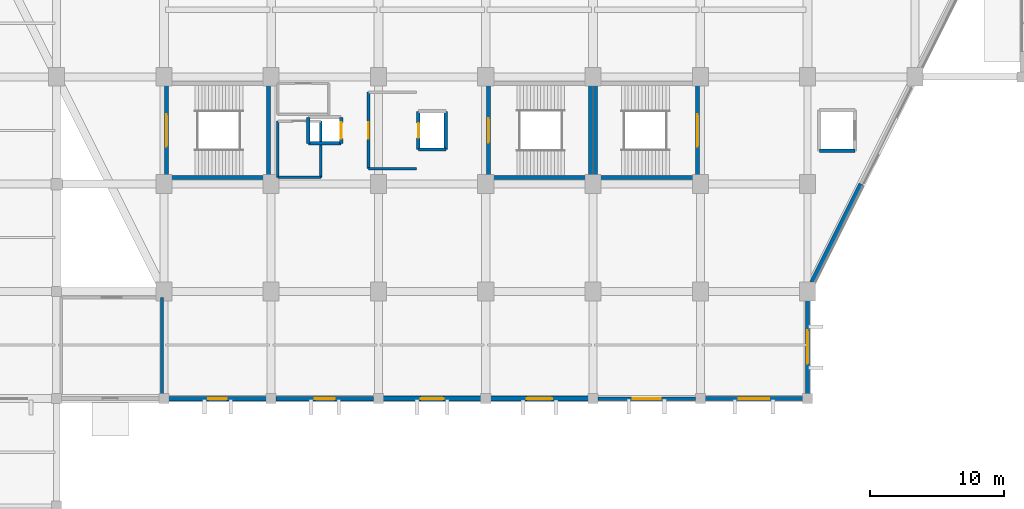
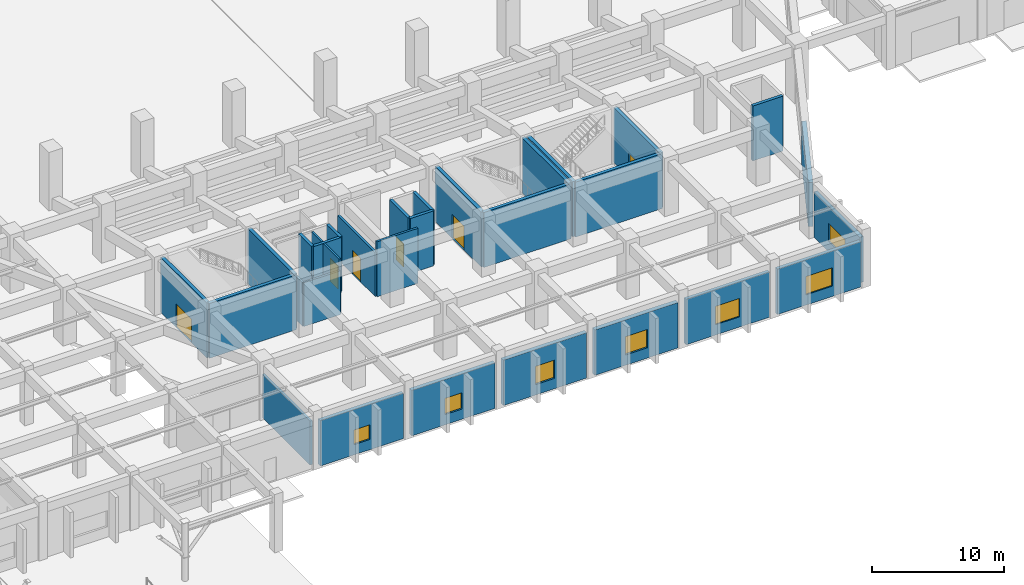
# One storey, part 24 of 39: 30 walls, 7 windows, 6 doors, 13 openings.
"""IFC4 building model written with IfcOpenShell, lengths in metres."""

from ifc_helpers import new_model, si_unit, direction, frame, frame_2d, origin, place, context, subcontext, project, spatial, rectangle, extrude, material, layer, layer_set, type_object, element, fill, save


model = new_model("IFC4")

# Units and contexts
model_context = context("Model", 3, precision=1e-05, world=origin(), true_north=direction((0.0, 1.0)))
body_context = subcontext(model_context, "Body", "Model", "MODEL_VIEW")
ifc_project = project(units=[si_unit("LENGTHUNIT", "METRE"), si_unit("AREAUNIT", "SQUARE_METRE"), si_unit("VOLUMEUNIT", "CUBIC_METRE"), si_unit("PLANEANGLEUNIT", "RADIAN"), si_unit("MASSUNIT", "GRAM", prefix="KILO")], contexts=[model_context])

# Site, building, storey
site_placement = place(None, origin())
site = spatial("IfcSite", under=ifc_project, at=site_placement, CompositionType="ELEMENT")
building_placement = place(site_placement, origin())
building = spatial("IfcBuilding", under=site, at=building_placement, Name="Tazarka Park Arena", CompositionType="ELEMENT")
storey_placement = place(building_placement, origin())
storey = spatial("IfcBuildingStorey", under=building, at=storey_placement, Name="L00", CompositionType="ELEMENT", Elevation=0.0)

# Wall
ifc_material_1 = material(Name="Concrete C40/50", Category="concrete")
ifc_layer_1 = layer(ifc_material_1, 0.300048828125, Name="Concrete C40/50")
ifc_layer_set_1 = layer_set([ifc_layer_1], Name="Concrete C40/50")
wall_type_1 = type_object("IfcWallType", Name="IWAL-CW-S1", PredefinedType="SHEAR", material=ifc_layer_set_1)
wall_1_placement = place(storey_placement, frame((71.800048828125, 24.5, 0.0), z_axis=(0.0, 0.0, 1.0), x_axis=(-1.0, 0.0, 0.0)))
element("IfcWall", 1, at=wall_1_placement, inside=storey, type_object=wall_type_1, Name="SCW-L00-ST09-S", PredefinedType="SHEAR", context=body_context, shape_type="SweptSolid", body=[
    extrude(rectangle(XDim=7.60009765625, YDim=0.300048828125, at=frame_2d((3.800048828125, 0.0))), origin(), (0.0, 0.0, 1.0), 5.080078125),
])

# Wall, opening, door
wall_2_placement = place(storey_placement, frame((64.199951171875, 24.5, 0.0), z_axis=(0.0, 0.0, 1.0), x_axis=(0.0, 1.0, 0.0)))
wall_2 = element("IfcWall", 2, at=wall_2_placement, inside=storey, type_object=wall_type_1, Name="SCW-L00-ST09-W", PredefinedType="SHEAR", context=body_context, shape_type="SweptSolid", body=[
    extrude(rectangle(XDim=7.0, YDim=0.300048828125, at=frame_2d((3.5, 0.0))), origin(), (0.0, 0.0, 1.0), 5.080078125),
])
opening_1_placement = place(wall_2_placement, frame((2.300048828125, 0.0, 0.0)))
opening_1 = element("IfcOpeningElement", 3, at=opening_1_placement, cuts=wall_2, Name="Opening ID-05", PredefinedType="OPENING", context=body_context, shape_type="SweptSolid", body=[
    extrude(rectangle(XDim=2.39990234375, YDim=2.199951171875, at=frame_2d((1.199951171875, 1.10009765625))), frame((0.0, 0.16015625, 0.0), z_axis=(0.0, -1.0, 0.0), x_axis=(1.0, 0.0, 0.0)), (0.0, 0.0, 1.0), 0.320068359375),
])
ifc_material_2 = material(Name="Fire-rated powder-coated steel and acoustic timber", Category="steel")
door_type_1 = type_object("IfcDoorType", Name="IDR-ID-05", OperationType="NOTDEFINED", PredefinedType="DOOR", material=ifc_material_2)
door_1_placement = place(opening_1_placement, origin())
door_1 = element("IfcDoor", 4, at=door_1_placement, inside=storey, type_object=door_type_1, Name="Exit Stair Door ST09-L00", OperationType="DOUBLE_DOOR_SINGLE_SWING", OverallHeight=2.199951171875, OverallWidth=2.39990234375, PredefinedType="DOOR", context=body_context, shape_type="SweptSolid", body=[
    extrude(rectangle(XDim=2.39990234375, YDim=2.199951171875, at=frame_2d((1.199951171875, 1.10009765625))), frame((0.0, 0.02490234375, 0.0), z_axis=(0.0, -1.0, 0.0), x_axis=(1.0, 0.0, 0.0)), (0.0, 0.0, 1.0), 0.050048828125),
])
fill(opening_1, door_1)

# Walls
wall_3_placement = place(storey_placement, frame((71.800048828125, 31.5, 0.0), z_axis=(0.0, 0.0, 1.0), x_axis=(0.0, -1.0, 0.0)))
element("IfcWall", 5, at=wall_3_placement, inside=storey, type_object=wall_type_1, Name="SCW-L00-ST09-E", PredefinedType="SHEAR", context=body_context, shape_type="SweptSolid", body=[
    extrude(rectangle(XDim=7.0, YDim=0.300048828125, at=frame_2d((3.5, 0.0))), origin(), (0.0, 0.0, 1.0), 5.080078125),
])
wall_4_placement = place(storey_placement, frame((103.800048828125, 24.5, 0.0), z_axis=(0.0, 0.0, 1.0), x_axis=(-1.0, 0.0, 0.0)))
element("IfcWall", 6, at=wall_4_placement, inside=storey, type_object=wall_type_1, Name="SCW-L00-ST11-S", PredefinedType="SHEAR", context=body_context, shape_type="SweptSolid", body=[
    extrude(rectangle(XDim=7.60009765625, YDim=0.300048828125, at=frame_2d((3.800048828125, 0.0))), origin(), (0.0, 0.0, 1.0), 5.080078125),
])
wall_5_placement = place(storey_placement, frame((96.199951171875, 24.5, 0.0), z_axis=(0.0, 0.0, 1.0), x_axis=(0.0, 1.0, 0.0)))
element("IfcWall", 7, at=wall_5_placement, inside=storey, type_object=wall_type_1, Name="SCW-L00-ST11-W", PredefinedType="SHEAR", context=body_context, shape_type="SweptSolid", body=[
    extrude(rectangle(XDim=7.0, YDim=0.300048828125, at=frame_2d((3.5, 0.0))), origin(), (0.0, 0.0, 1.0), 5.080078125),
])

# Wall, opening, door
wall_6_placement = place(storey_placement, frame((103.800048828125, 31.5, 0.0), z_axis=(0.0, 0.0, 1.0), x_axis=(0.0, -1.0, 0.0)))
wall_6 = element("IfcWall", 8, at=wall_6_placement, inside=storey, type_object=wall_type_1, Name="SCW-L00-ST11-E", PredefinedType="SHEAR", context=body_context, shape_type="SweptSolid", body=[
    extrude(rectangle(XDim=7.0, YDim=0.300048828125, at=frame_2d((3.5, 0.0))), origin(), (0.0, 0.0, 1.0), 5.080078125),
])
opening_2_placement = place(wall_6_placement, frame((2.300048828125, 0.0, 0.0)))
opening_2 = element("IfcOpeningElement", 9, at=opening_2_placement, cuts=wall_6, Name="Opening ID-05", PredefinedType="OPENING", context=body_context, shape_type="SweptSolid", body=[
    extrude(rectangle(XDim=2.39990234375, YDim=2.199951171875, at=frame_2d((1.199951171875, 1.10009765625))), frame((0.0, 0.16015625, 0.0), z_axis=(0.0, -1.0, 0.0), x_axis=(1.0, 0.0, 0.0)), (0.0, 0.0, 1.0), 0.320068359375),
])
door_2_placement = place(opening_2_placement, origin())
door_2 = element("IfcDoor", 10, at=door_2_placement, inside=storey, type_object=door_type_1, Name="Exit Stair Door ST11-L00", OperationType="DOUBLE_DOOR_SINGLE_SWING", OverallHeight=2.199951171875, OverallWidth=2.39990234375, PredefinedType="DOOR", context=body_context, shape_type="SweptSolid", body=[
    extrude(rectangle(XDim=2.39990234375, YDim=2.199951171875, at=frame_2d((1.199951171875, 1.10009765625))), frame((0.0, 0.02490234375, 0.0), z_axis=(0.0, -1.0, 0.0), x_axis=(1.0, 0.0, 0.0)), (0.0, 0.0, 1.0), 0.050048828125),
])
fill(opening_2, door_2)

# Wall
wall_7_placement = place(storey_placement, frame((95.800048828125, 24.5, 0.0), z_axis=(0.0, 0.0, 1.0), x_axis=(-1.0, 0.0, 0.0)))
element("IfcWall", 11, at=wall_7_placement, inside=storey, type_object=wall_type_1, Name="SCW-L00-ST23-S", PredefinedType="SHEAR", context=body_context, shape_type="SweptSolid", body=[
    extrude(rectangle(XDim=7.60009765625, YDim=0.300048828125, at=frame_2d((3.800048828125, 0.0))), origin(), (0.0, 0.0, 1.0), 5.080078125),
])

# Wall, opening, door
wall_8_placement = place(storey_placement, frame((88.199951171875, 24.5, 0.0), z_axis=(0.0, 0.0, 1.0), x_axis=(0.0, 1.0, 0.0)))
wall_8 = element("IfcWall", 12, at=wall_8_placement, inside=storey, type_object=wall_type_1, Name="SCW-L00-ST23-W", PredefinedType="SHEAR", context=body_context, shape_type="SweptSolid", body=[
    extrude(rectangle(XDim=7.0, YDim=0.300048828125, at=frame_2d((3.5, 0.0))), origin(), (0.0, 0.0, 1.0), 5.080078125),
])
opening_3_placement = place(wall_8_placement, frame((2.60009765625, 0.0, 0.0)))
opening_3 = element("IfcOpeningElement", 13, at=opening_3_placement, cuts=wall_8, Name="Opening ID-04", PredefinedType="OPENING", context=body_context, shape_type="SweptSolid", body=[
    extrude(rectangle(XDim=1.800048828125, YDim=2.199951171875, at=frame_2d((0.89990234375, 1.10009765625))), frame((0.0, 0.16015625, 0.0), z_axis=(0.0, -1.0, 0.0), x_axis=(1.0, 0.0, 0.0)), (0.0, 0.0, 1.0), 0.320068359375),
])
ifc_material_3 = material(Name="Fire-rated powder-coated steel and acoustic timber", Category="steel")
door_type_2 = type_object("IfcDoorType", Name="IDR-ID-04", OperationType="NOTDEFINED", PredefinedType="DOOR", material=ifc_material_3)
door_3_placement = place(opening_3_placement, origin())
door_3 = element("IfcDoor", 14, at=door_3_placement, inside=storey, type_object=door_type_2, Name="Vomitory Stair Door ST23-L00", OperationType="DOUBLE_DOOR_SINGLE_SWING", OverallHeight=2.199951171875, OverallWidth=1.800048828125, PredefinedType="DOOR", context=body_context, shape_type="SweptSolid", body=[
    extrude(rectangle(XDim=1.800048828125, YDim=2.199951171875, at=frame_2d((0.89990234375, 1.10009765625))), frame((0.0, 0.02490234375, 0.0), z_axis=(0.0, -1.0, 0.0), x_axis=(1.0, 0.0, 0.0)), (0.0, 0.0, 1.0), 0.050048828125),
])
fill(opening_3, door_3)

# Wall
wall_9_placement = place(storey_placement, frame((95.800048828125, 31.5, 0.0), z_axis=(0.0, 0.0, 1.0), x_axis=(0.0, -1.0, 0.0)))
element("IfcWall", 15, at=wall_9_placement, inside=storey, type_object=wall_type_1, Name="SCW-L00-ST23-E", PredefinedType="SHEAR", context=body_context, shape_type="SweptSolid", body=[
    extrude(rectangle(XDim=7.0, YDim=0.300048828125, at=frame_2d((3.5, 0.0))), origin(), (0.0, 0.0, 1.0), 5.080078125),
])

# Wall, opening, door
ifc_material_4 = material(Name="Concrete C40/50", Category="concrete")
ifc_layer_2 = layer(ifc_material_4, 0.260009765625, Name="Concrete C40/50")
ifc_layer_set_2 = layer_set([ifc_layer_2], Name="Concrete C40/50")
wall_type_2 = type_object("IfcWallType", Name="IWAL-CW-S3", PredefinedType="SHEAR", material=ifc_layer_set_2)
wall_10_placement = place(storey_placement, frame((82.97998046875, 26.580078125, 0.0), z_axis=(0.0, 0.0, 1.0), x_axis=(0.0, 1.0, 0.0)))
wall_10 = element("IfcWall", 16, at=wall_10_placement, inside=storey, type_object=wall_type_2, Name="LSW-L00-LF-04-W", PredefinedType="SHEAR", context=body_context, shape_type="SweptSolid", body=[
    extrude(rectangle(XDim=2.83984375, YDim=0.260009765625, at=frame_2d((1.419921875, 0.0))), origin(), (0.0, 0.0, 1.0), 5.080078125),
])
opening_4_placement = place(wall_10_placement, frame((0.8701171875, 0.0, 0.0)))
opening_4 = element("IfcOpeningElement", 17, at=opening_4_placement, cuts=wall_10, Name="Opening LD-01", PredefinedType="OPENING", context=body_context, shape_type="SweptSolid", body=[
    extrude(rectangle(XDim=1.10009765625, YDim=2.14990234375, at=frame_2d((0.550048828125, 1.074951171875))), frame((0.0, 0.14013671875, 0.0), z_axis=(0.0, -1.0, 0.0), x_axis=(1.0, 0.0, 0.0)), (0.0, 0.0, 1.0), 0.280029296875),
])
ifc_material_5 = material(Name="Fire-rated powder-coated steel and acoustic timber", Category="steel")
door_type_3 = type_object("IfcDoorType", Name="IDR-LD-01", OperationType="NOTDEFINED", PredefinedType="DOOR", material=ifc_material_5)
door_4_placement = place(opening_4_placement, origin())
door_4 = element("IfcDoor", 18, at=door_4_placement, inside=storey, type_object=door_type_3, Name="Lift Landing Door LF-04-L00", OperationType="SLIDING_TO_LEFT", OverallHeight=2.14990234375, OverallWidth=1.10009765625, PredefinedType="DOOR", context=body_context, shape_type="SweptSolid", body=[
    extrude(rectangle(XDim=1.10009765625, YDim=2.14990234375, at=frame_2d((0.550048828125, 1.074951171875))), frame((0.0, 0.02490234375, 0.0), z_axis=(0.0, -1.0, 0.0), x_axis=(1.0, 0.0, 0.0)), (0.0, 0.0, 1.0), 0.050048828125),
])
fill(opening_4, door_4)

# Walls
wall_11_placement = place(storey_placement, frame((85.02001953125, 26.580078125, 0.0), z_axis=(0.0, 0.0, 1.0), x_axis=(-1.0, 0.0, 0.0)))
element("IfcWall", 19, at=wall_11_placement, inside=storey, type_object=wall_type_2, Name="LSW-L00-LF-04-S", PredefinedType="SHEAR", context=body_context, shape_type="SweptSolid", body=[
    extrude(rectangle(XDim=2.0400390625, YDim=0.260009765625, at=frame_2d((1.02001953125, 0.0))), origin(), (0.0, 0.0, 1.0), 5.080078125),
])
wall_12_placement = place(storey_placement, frame((85.02001953125, 29.419921875, 0.0), z_axis=(0.0, 0.0, 1.0), x_axis=(0.0, -1.0, 0.0)))
element("IfcWall", 20, at=wall_12_placement, inside=storey, type_object=wall_type_2, Name="LSW-L00-LF-04-E", PredefinedType="SHEAR", context=body_context, shape_type="SweptSolid", body=[
    extrude(rectangle(XDim=2.83984375, YDim=0.260009765625, at=frame_2d((1.419921875, 0.0))), origin(), (0.0, 0.0, 1.0), 5.080078125),
])
wall_13_placement = place(storey_placement, frame((74.780029296875, 27.030029296875, 0.0), z_axis=(0.0, 0.0, 1.0), x_axis=(0.0, 1.0, 0.0)))
element("IfcWall", 21, at=wall_13_placement, inside=storey, type_object=wall_type_2, Name="LSW-L00-LF-08-W", PredefinedType="SHEAR", context=body_context, shape_type="SweptSolid", body=[
    extrude(rectangle(XDim=1.93994140625, YDim=0.260009765625, at=frame_2d((0.969970703125, 0.0))), origin(), (0.0, 0.0, 1.0), 5.080078125),
])
wall_14_placement = place(storey_placement, frame((77.219970703125, 27.030029296875, 0.0), z_axis=(0.0, 0.0, 1.0), x_axis=(-1.0, 0.0, 0.0)))
element("IfcWall", 22, at=wall_14_placement, inside=storey, type_object=wall_type_2, Name="LSW-L00-LF-08-S", PredefinedType="SHEAR", context=body_context, shape_type="SweptSolid", body=[
    extrude(rectangle(XDim=2.43994140625, YDim=0.260009765625, at=frame_2d((1.219970703125, 0.0))), origin(), (0.0, 0.0, 1.0), 5.080078125),
])

# Wall, opening, door
wall_15_placement = place(storey_placement, frame((77.219970703125, 28.969970703125, 0.0), z_axis=(0.0, 0.0, 1.0), x_axis=(0.0, -1.0, 0.0)))
wall_15 = element("IfcWall", 23, at=wall_15_placement, inside=storey, type_object=wall_type_2, Name="LSW-L00-LF-08-E", PredefinedType="SHEAR", context=body_context, shape_type="SweptSolid", body=[
    extrude(rectangle(XDim=1.93994140625, YDim=0.260009765625, at=frame_2d((0.969970703125, 0.0))), origin(), (0.0, 0.0, 1.0), 5.080078125),
])
opening_5_placement = place(wall_15_placement, frame((0.3701171875, 0.0, 0.0)))
opening_5 = element("IfcOpeningElement", 24, at=opening_5_placement, cuts=wall_15, Name="Opening LD-02", PredefinedType="OPENING", context=body_context, shape_type="SweptSolid", body=[
    extrude(rectangle(XDim=1.199951171875, YDim=2.14990234375, at=frame_2d((0.60009765625, 1.074951171875))), frame((0.0, 0.14013671875, 0.0), z_axis=(0.0, -1.0, 0.0), x_axis=(1.0, 0.0, 0.0)), (0.0, 0.0, 1.0), 0.280029296875),
])
ifc_material_6 = material(Name="Fire-rated powder-coated steel and acoustic timber", Category="steel")
door_type_4 = type_object("IfcDoorType", Name="IDR-LD-02", OperationType="NOTDEFINED", PredefinedType="DOOR", material=ifc_material_6)
door_5_placement = place(opening_5_placement, origin())
door_5 = element("IfcDoor", 25, at=door_5_placement, inside=storey, type_object=door_type_4, Name="Lift Landing Door LF-08-L00", OperationType="SLIDING_TO_LEFT", OverallHeight=2.14990234375, OverallWidth=1.199951171875, PredefinedType="DOOR", context=body_context, shape_type="SweptSolid", body=[
    extrude(rectangle(XDim=1.199951171875, YDim=2.14990234375, at=frame_2d((0.60009765625, 1.074951171875))), frame((0.0, 0.02490234375, 0.0), z_axis=(0.0, -1.0, 0.0), x_axis=(1.0, 0.0, 0.0)), (0.0, 0.0, 1.0), 0.050048828125),
])
fill(opening_5, door_5)

# Walls
wall_16_placement = place(storey_placement, frame((115.52001953125, 26.47998046875, 0.0), z_axis=(0.0, 0.0, 1.0), x_axis=(-1.0, 0.0, 0.0)))
element("IfcWall", 26, at=wall_16_placement, inside=storey, type_object=wall_type_2, Name="LSW-L00-LF-11-S", PredefinedType="SHEAR", context=body_context, shape_type="SweptSolid", body=[
    extrude(rectangle(XDim=2.64013671875, YDim=0.260009765625, at=frame_2d((1.320068359375, 0.0))), origin(), (0.0, 0.0, 1.0), 5.080078125),
])
ifc_material_7 = material(Name="Reinforced masonry compartment wall", Category="masonry")
ifc_layer_3 = layer(ifc_material_7, 0.199951171875, Name="Reinforced masonry compartment wall")
ifc_layer_set_3 = layer_set([ifc_layer_3], Name="Reinforced masonry compartment wall")
wall_type_3 = type_object("IfcWallType", Name="IWAL-PT-04", PredefinedType="PARTITIONING", material=ifc_layer_set_3)
wall_17_placement = place(storey_placement, frame((82.85009765625, 25.14990234375, 0.0), z_axis=(0.0, 0.0, 1.0), x_axis=(-1.0, 0.0, 0.0)))
element("IfcWall", 27, at=wall_17_placement, inside=storey, type_object=wall_type_3, Name="FFW-L00-LF-04-S", PredefinedType="PARTITIONING", context=body_context, shape_type="SweptSolid", body=[
    extrude(rectangle(XDim=3.60009765625, YDim=0.199951171875, at=frame_2d((1.800048828125, 0.0))), origin(), (0.0, 0.0, 1.0), 5.080078125),
])

# Wall, opening, door
wall_18_placement = place(storey_placement, frame((79.25, 25.14990234375, 0.0), z_axis=(0.0, 0.0, 1.0), x_axis=(0.0, 1.0, 0.0)))
wall_18 = element("IfcWall", 28, at=wall_18_placement, inside=storey, type_object=wall_type_3, Name="FFW-L00-LF-04-E", PredefinedType="PARTITIONING", context=body_context, shape_type="SweptSolid", body=[
    extrude(rectangle(XDim=5.7001953125, YDim=0.199951171875, at=frame_2d((2.85009765625, 0.0))), origin(), (0.0, 0.0, 1.0), 4.050048828125),
])
opening_6_placement = place(wall_18_placement, frame((2.25, 0.0, 0.0)))
opening_6 = element("IfcOpeningElement", 29, at=opening_6_placement, cuts=wall_18, Name="Opening ID-03", PredefinedType="OPENING", context=body_context, shape_type="SweptSolid", body=[
    extrude(rectangle(XDim=1.199951171875, YDim=2.199951171875, at=frame_2d((0.60009765625, 1.10009765625))), frame((0.0, 0.10986328125, 0.0), z_axis=(0.0, -1.0, 0.0), x_axis=(1.0, 0.0, 0.0)), (0.0, 0.0, 1.0), 0.219970703125),
])
ifc_material_8 = material(Name="Fire-rated powder-coated steel and acoustic timber", Category="steel")
door_type_5 = type_object("IfcDoorType", Name="IDR-ID-03", OperationType="NOTDEFINED", PredefinedType="DOOR", material=ifc_material_8)
door_6_placement = place(opening_6_placement, origin())
door_6 = element("IfcDoor", 30, at=door_6_placement, inside=storey, type_object=door_type_5, Name="Firefighting Lobby Door LF-04-L00", OperationType="SINGLE_SWING_LEFT", OverallHeight=2.199951171875, OverallWidth=1.199951171875, PredefinedType="DOOR", context=body_context, shape_type="SweptSolid", body=[
    extrude(rectangle(XDim=1.199951171875, YDim=2.199951171875, at=frame_2d((0.60009765625, 1.10009765625))), frame((0.0, 0.02490234375, 0.0), z_axis=(0.0, -1.0, 0.0), x_axis=(1.0, 0.0, 0.0)), (0.0, 0.0, 1.0), 0.050048828125),
])
fill(opening_6, door_6)

# Walls
wall_19_placement = place(storey_placement, frame((63.85009765625, 8.35009765625, 0.0), z_axis=(0.0, 0.0, 1.0), x_axis=(0.0, 1.0, 0.0)))
element("IfcWall", 31, at=wall_19_placement, inside=storey, type_object=wall_type_3, Name="WCE-L00-057", PredefinedType="PARTITIONING", context=body_context, shape_type="SweptSolid", body=[
    extrude(rectangle(XDim=7.199951171875, YDim=0.199951171875, at=frame_2d((3.60009765625, 0.0))), origin(), (0.0, 0.0, 1.0), 4.050048828125),
])
ifc_material_9 = material(Name="Wet-zone tiled blockwork wall", Category="masonry")
ifc_layer_4 = layer(ifc_material_9, 0.175048828125, Name="Wet-zone tiled blockwork wall")
ifc_layer_set_4 = layer_set([ifc_layer_4], Name="Wet-zone tiled blockwork wall")
wall_type_4 = type_object("IfcWallType", Name="IWAL-PT-18", PredefinedType="PARTITIONING", material=ifc_layer_set_4)
wall_20_placement = place(storey_placement, frame((72.5, 24.5, 0.0), z_axis=(0.0, 0.0, 1.0), x_axis=(1.0, 0.0, 0.0)))
element("IfcWall", 32, at=wall_20_placement, inside=storey, type_object=wall_type_4, Name="WCE-L00-037", PredefinedType="PARTITIONING", context=body_context, shape_type="SweptSolid", body=[
    extrude(rectangle(XDim=3.199951171875, YDim=0.175048828125, at=frame_2d((1.60009765625, 0.0))), origin(), (0.0, 0.0, 1.0), 4.050048828125),
])
wall_21_placement = place(storey_placement, frame((75.699951171875, 24.5, 0.0), z_axis=(0.0, 0.0, 1.0), x_axis=(0.0, 1.0, 0.0)))
element("IfcWall", 33, at=wall_21_placement, inside=storey, type_object=wall_type_4, Name="WCE-L00-038", PredefinedType="PARTITIONING", context=body_context, shape_type="SweptSolid", body=[
    extrude(rectangle(XDim=4.199951171875, YDim=0.175048828125, at=frame_2d((2.10009765625, 0.0))), origin(), (0.0, 0.0, 1.0), 5.080078125),
])
wall_22_placement = place(storey_placement, frame((72.5, 28.699951171875, 0.0), z_axis=(0.0, 0.0, 1.0), x_axis=(0.0, -1.0, 0.0)))
element("IfcWall", 34, at=wall_22_placement, inside=storey, type_object=wall_type_4, Name="WCE-L00-040", PredefinedType="PARTITIONING", context=body_context, shape_type="SweptSolid", body=[
    extrude(rectangle(XDim=4.199951171875, YDim=0.175048828125, at=frame_2d((2.10009765625, 0.0))), origin(), (0.0, 0.0, 1.0), 4.050048828125),
])

# Wall, opening, window
ifc_material_10 = material(Name="Precast concrete C40/50", Category="concrete")
ifc_layer_5 = layer(ifc_material_10, 0.320068359375, Name="Precast concrete C40/50")
ifc_layer_set_5 = layer_set([ifc_layer_5], Name="Precast concrete C40/50")
wall_type_5 = type_object("IfcWallType", Name="WAL-EW-02", PredefinedType="SOLIDWALL", material=ifc_layer_set_5)
wall_23_placement = place(storey_placement, frame((71.64501953125, 8.0, 0.0), z_axis=(0.0, 0.0, 1.0), x_axis=(-1.0, 0.0, 0.0)))
wall_23 = element("IfcWall", 35, at=wall_23_placement, inside=storey, type_object=wall_type_5, Name="EW-L00-0145", PredefinedType="SOLIDWALL", context=body_context, shape_type="SweptSolid", body=[
    extrude(rectangle(XDim=7.2900390625, YDim=0.320068359375, at=frame_2d((3.64501953125, 0.0))), origin(), (0.0, 0.0, 1.0), 4.199951171875),
])
opening_7_placement = place(wall_23_placement, frame((2.945068359375, 0.0, 0.949951171875)))
opening_7 = element("IfcOpeningElement", 36, at=opening_7_placement, cuts=wall_23, Name="Opening WN-17", PredefinedType="OPENING", context=body_context, shape_type="SweptSolid", body=[
    extrude(rectangle(XDim=1.39990234375, YDim=1.35009765625, at=frame_2d((0.699951171875, 0.675048828125))), frame((0.0, 0.169921875, 0.0), z_axis=(0.0, -1.0, 0.0), x_axis=(1.0, 0.0, 0.0)), (0.0, 0.0, 1.0), 0.340087890625),
])
ifc_material_11 = material(Name="Thermally broken aluminium and solar-control low-e glazing", Category="aluminium")
window_type_1 = type_object("IfcWindowType", Name="WIN-WN-17", PartitioningType="DOUBLE_PANEL_VERTICAL", PredefinedType="WINDOW", material=ifc_material_11)
window_1_placement = place(opening_7_placement, origin())
window_1 = element("IfcWindow", 37, at=window_1_placement, inside=storey, type_object=window_type_1, Name="WIN-L00-0017", OverallHeight=1.35009765625, OverallWidth=1.39990234375, PartitioningType="SINGLE_PANEL", PredefinedType="WINDOW", context=body_context, shape_type="SweptSolid", body=[
    extrude(rectangle(XDim=1.39990234375, YDim=1.35009765625, at=frame_2d((0.699951171875, 0.675048828125))), frame((0.0, 0.030029296875, 0.0), z_axis=(0.0, -1.0, 0.0), x_axis=(1.0, 0.0, 0.0)), (0.0, 0.0, 1.0), 0.06005859375),
])
fill(opening_7, window_1)

ifc_material_12 = material(Name="Concrete C40/50", Category="concrete")
ifc_layer_6 = layer(ifc_material_12, 0.340087890625, Name="Concrete C40/50")
ifc_layer_set_6 = layer_set([ifc_layer_6], Name="Concrete C40/50")
wall_type_6 = type_object("IfcWallType", Name="WAL-EW-03", PredefinedType="SOLIDWALL", material=ifc_layer_set_6)
wall_24_placement = place(storey_placement, frame((79.64501953125, 8.0, 0.0), z_axis=(0.0, 0.0, 1.0), x_axis=(-1.0, 0.0, 0.0)))
wall_24 = element("IfcWall", 38, at=wall_24_placement, inside=storey, type_object=wall_type_6, Name="EW-L00-0146", PredefinedType="SOLIDWALL", context=body_context, shape_type="SweptSolid", body=[
    extrude(rectangle(XDim=7.2900390625, YDim=0.340087890625, at=frame_2d((3.64501953125, 0.0))), origin(), (0.0, 0.0, 1.0), 4.199951171875),
])
opening_8_placement = place(wall_24_placement, frame((2.89501953125, 0.0, 0.949951171875)))
opening_8 = element("IfcOpeningElement", 39, at=opening_8_placement, cuts=wall_24, Name="Opening WN-18", PredefinedType="OPENING", context=body_context, shape_type="SweptSolid", body=[
    extrude(rectangle(XDim=1.5, YDim=1.5, at=frame_2d((0.75, 0.75))), frame((0.0, 0.18017578125, 0.0), z_axis=(0.0, -1.0, 0.0), x_axis=(1.0, 0.0, 0.0)), (0.0, 0.0, 1.0), 0.360107421875),
])
ifc_material_13 = material(Name="Thermally broken aluminium and solar-control low-e glazing", Category="aluminium")
window_type_2 = type_object("IfcWindowType", Name="WIN-WN-18", PartitioningType="DOUBLE_PANEL_VERTICAL", PredefinedType="WINDOW", material=ifc_material_13)
window_2_placement = place(opening_8_placement, origin())
window_2 = element("IfcWindow", 40, at=window_2_placement, inside=storey, type_object=window_type_2, Name="WIN-L00-0018", OverallHeight=1.5, OverallWidth=1.5, PartitioningType="SINGLE_PANEL", PredefinedType="WINDOW", context=body_context, shape_type="SweptSolid", body=[
    extrude(rectangle(XDim=1.5, YDim=1.5, at=frame_2d((0.75, 0.75))), frame((0.0, 0.030029296875, 0.0), z_axis=(0.0, -1.0, 0.0), x_axis=(1.0, 0.0, 0.0)), (0.0, 0.0, 1.0), 0.06005859375),
])
fill(opening_8, window_2)

ifc_material_14 = material(Name="Concrete C40/50", Category="concrete")
ifc_layer_7 = layer(ifc_material_14, 0.360107421875, Name="Concrete C40/50")
ifc_layer_set_7 = layer_set([ifc_layer_7], Name="Concrete C40/50")
wall_type_7 = type_object("IfcWallType", Name="WAL-EW-04", PredefinedType="SOLIDWALL", material=ifc_layer_set_7)
wall_25_placement = place(storey_placement, frame((87.64501953125, 8.0, 0.0), z_axis=(0.0, 0.0, 1.0), x_axis=(-1.0, 0.0, 0.0)))
wall_25 = element("IfcWall", 41, at=wall_25_placement, inside=storey, type_object=wall_type_7, Name="EW-L00-0147", PredefinedType="SOLIDWALL", context=body_context, shape_type="SweptSolid", body=[
    extrude(rectangle(XDim=7.2900390625, YDim=0.360107421875, at=frame_2d((3.64501953125, 0.0))), origin(), (0.0, 0.0, 1.0), 4.199951171875),
])
opening_9_placement = place(wall_25_placement, frame((2.794921875, 0.0, 0.949951171875)))
opening_9 = element("IfcOpeningElement", 42, at=opening_9_placement, cuts=wall_25, Name="Opening WN-19", PredefinedType="OPENING", context=body_context, shape_type="SweptSolid", body=[
    extrude(rectangle(XDim=1.699951171875, YDim=1.699951171875, at=frame_2d((0.85009765625, 0.85009765625))), frame((0.0, 0.18994140625, 0.0), z_axis=(0.0, -1.0, 0.0), x_axis=(1.0, 0.0, 0.0)), (0.0, 0.0, 1.0), 0.380126953125),
])
ifc_material_15 = material(Name="Thermally broken aluminium and solar-control low-e glazing", Category="aluminium")
window_type_3 = type_object("IfcWindowType", Name="WIN-WN-19", PartitioningType="DOUBLE_PANEL_VERTICAL", PredefinedType="WINDOW", material=ifc_material_15)
window_3_placement = place(opening_9_placement, origin())
window_3 = element("IfcWindow", 43, at=window_3_placement, inside=storey, type_object=window_type_3, Name="WIN-L00-0019", OverallHeight=1.699951171875, OverallWidth=1.699951171875, PartitioningType="SINGLE_PANEL", PredefinedType="WINDOW", context=body_context, shape_type="SweptSolid", body=[
    extrude(rectangle(XDim=1.699951171875, YDim=1.699951171875, at=frame_2d((0.85009765625, 0.85009765625))), frame((0.0, 0.030029296875, 0.0), z_axis=(0.0, -1.0, 0.0), x_axis=(1.0, 0.0, 0.0)), (0.0, 0.0, 1.0), 0.06005859375),
])
fill(opening_9, window_3)

ifc_material_16 = material(Name="Concrete C50/60", Category="concrete")
ifc_layer_8 = layer(ifc_material_16, 0.3798828125, Name="Concrete C50/60")
ifc_layer_set_8 = layer_set([ifc_layer_8], Name="Concrete C50/60")
wall_type_8 = type_object("IfcWallType", Name="WAL-EW-05", PredefinedType="SOLIDWALL", material=ifc_layer_set_8)
wall_26_placement = place(storey_placement, frame((95.64501953125, 8.0, 0.0), z_axis=(0.0, 0.0, 1.0), x_axis=(-1.0, 0.0, 0.0)))
wall_26 = element("IfcWall", 44, at=wall_26_placement, inside=storey, type_object=wall_type_8, Name="EW-L00-0148", PredefinedType="SOLIDWALL", context=body_context, shape_type="SweptSolid", body=[
    extrude(rectangle(XDim=7.2900390625, YDim=0.3798828125, at=frame_2d((3.64501953125, 0.0))), origin(), (0.0, 0.0, 1.0), 4.199951171875),
])
opening_10_placement = place(wall_26_placement, frame((2.695068359375, 0.0, 0.949951171875)))
opening_10 = element("IfcOpeningElement", 45, at=opening_10_placement, cuts=wall_26, Name="Opening WN-20", PredefinedType="OPENING", context=body_context, shape_type="SweptSolid", body=[
    extrude(rectangle(XDim=1.89990234375, YDim=1.699951171875, at=frame_2d((0.949951171875, 0.85009765625))), frame((0.0, 0.199951171875, 0.0), z_axis=(0.0, -1.0, 0.0), x_axis=(1.0, 0.0, 0.0)), (0.0, 0.0, 1.0), 0.39990234375),
])
ifc_material_17 = material(Name="Thermally broken aluminium and solar-control low-e glazing", Category="aluminium")
window_type_4 = type_object("IfcWindowType", Name="WIN-WN-20", PartitioningType="DOUBLE_PANEL_VERTICAL", PredefinedType="WINDOW", material=ifc_material_17)
window_4_placement = place(opening_10_placement, origin())
window_4 = element("IfcWindow", 46, at=window_4_placement, inside=storey, type_object=window_type_4, Name="WIN-L00-0020", OverallHeight=1.699951171875, OverallWidth=1.89990234375, PartitioningType="SINGLE_PANEL", PredefinedType="WINDOW", context=body_context, shape_type="SweptSolid", body=[
    extrude(rectangle(XDim=1.89990234375, YDim=1.699951171875, at=frame_2d((0.949951171875, 0.85009765625))), frame((0.0, 0.030029296875, 0.0), z_axis=(0.0, -1.0, 0.0), x_axis=(1.0, 0.0, 0.0)), (0.0, 0.0, 1.0), 0.06005859375),
])
fill(opening_10, window_4)

ifc_material_18 = material(Name="Precast concrete C40/50", Category="concrete")
ifc_layer_9 = layer(ifc_material_18, 0.280029296875, Name="Precast concrete C40/50")
ifc_layer_set_9 = layer_set([ifc_layer_9], Name="Precast concrete C40/50")
wall_type_9 = type_object("IfcWallType", Name="WAL-EW-06", PredefinedType="SOLIDWALL", material=ifc_layer_set_9)
wall_27_placement = place(storey_placement, frame((103.64501953125, 8.0, 0.0), z_axis=(0.0, 0.0, 1.0), x_axis=(-1.0, 0.0, 0.0)))
wall_27 = element("IfcWall", 47, at=wall_27_placement, inside=storey, type_object=wall_type_9, Name="EW-L00-0149", PredefinedType="SOLIDWALL", context=body_context, shape_type="SweptSolid", body=[
    extrude(rectangle(XDim=7.2900390625, YDim=0.280029296875, at=frame_2d((3.64501953125, 0.0))), origin(), (0.0, 0.0, 1.0), 4.199951171875),
])
opening_11_placement = place(wall_27_placement, frame((2.594970703125, 0.0, 0.949951171875)))
opening_11 = element("IfcOpeningElement", 48, at=opening_11_placement, cuts=wall_27, Name="Opening WN-21", PredefinedType="OPENING", context=body_context, shape_type="SweptSolid", body=[
    extrude(rectangle(XDim=2.10009765625, YDim=1.699951171875, at=frame_2d((1.050048828125, 0.85009765625))), frame((0.0, 0.14990234375, 0.0), z_axis=(0.0, -1.0, 0.0), x_axis=(1.0, 0.0, 0.0)), (0.0, 0.0, 1.0), 0.300048828125),
])
ifc_material_19 = material(Name="Thermally broken aluminium and solar-control low-e glazing", Category="aluminium")
window_type_5 = type_object("IfcWindowType", Name="WIN-WN-21", PartitioningType="DOUBLE_PANEL_VERTICAL", PredefinedType="WINDOW", material=ifc_material_19)
window_5_placement = place(opening_11_placement, origin())
window_5 = element("IfcWindow", 49, at=window_5_placement, inside=storey, type_object=window_type_5, Name="WIN-L00-0021", OverallHeight=1.699951171875, OverallWidth=2.10009765625, PartitioningType="SINGLE_PANEL", PredefinedType="WINDOW", context=body_context, shape_type="SweptSolid", body=[
    extrude(rectangle(XDim=2.10009765625, YDim=1.699951171875, at=frame_2d((1.050048828125, 0.85009765625))), frame((0.0, 0.030029296875, 0.0), z_axis=(0.0, -1.0, 0.0), x_axis=(1.0, 0.0, 0.0)), (0.0, 0.0, 1.0), 0.06005859375),
])
fill(opening_11, window_5)

ifc_material_20 = material(Name="Precast concrete C40/50", Category="concrete")
ifc_layer_10 = layer(ifc_material_20, 0.2900390625, Name="Precast concrete C40/50")
ifc_layer_set_10 = layer_set([ifc_layer_10], Name="Precast concrete C40/50")
wall_type_10 = type_object("IfcWallType", Name="WAL-EW-07", PredefinedType="SOLIDWALL", material=ifc_layer_set_10)
wall_28_placement = place(storey_placement, frame((111.64501953125, 8.0, 0.0), z_axis=(0.0, 0.0, 1.0), x_axis=(-1.0, 0.0, 0.0)))
wall_28 = element("IfcWall", 50, at=wall_28_placement, inside=storey, type_object=wall_type_10, Name="EW-L00-0150", PredefinedType="SOLIDWALL", context=body_context, shape_type="SweptSolid", body=[
    extrude(rectangle(XDim=7.2900390625, YDim=0.2900390625, at=frame_2d((3.64501953125, 0.0))), origin(), (0.0, 0.0, 1.0), 4.199951171875),
])
opening_12_placement = place(wall_28_placement, frame((2.4951171875, 0.0, 0.949951171875)))
opening_12 = element("IfcOpeningElement", 51, at=opening_12_placement, cuts=wall_28, Name="Opening WN-22", PredefinedType="OPENING", context=body_context, shape_type="SweptSolid", body=[
    extrude(rectangle(XDim=2.300048828125, YDim=1.699951171875, at=frame_2d((1.14990234375, 0.85009765625))), frame((0.0, 0.155029296875, 0.0), z_axis=(0.0, -1.0, 0.0), x_axis=(1.0, 0.0, 0.0)), (0.0, 0.0, 1.0), 0.31005859375),
])
ifc_material_21 = material(Name="Thermally broken aluminium and solar-control low-e glazing", Category="aluminium")
window_type_6 = type_object("IfcWindowType", Name="WIN-WN-22", PartitioningType="DOUBLE_PANEL_VERTICAL", PredefinedType="WINDOW", material=ifc_material_21)
window_6_placement = place(opening_12_placement, origin())
window_6 = element("IfcWindow", 52, at=window_6_placement, inside=storey, type_object=window_type_6, Name="WIN-L00-0022", OverallHeight=1.699951171875, OverallWidth=2.300048828125, PartitioningType="SINGLE_PANEL", PredefinedType="WINDOW", context=body_context, shape_type="SweptSolid", body=[
    extrude(rectangle(XDim=2.300048828125, YDim=1.699951171875, at=frame_2d((1.14990234375, 0.85009765625))), frame((0.0, 0.030029296875, 0.0), z_axis=(0.0, -1.0, 0.0), x_axis=(1.0, 0.0, 0.0)), (0.0, 0.0, 1.0), 0.06005859375),
])
fill(opening_12, window_6)

ifc_material_22 = material(Name="Precast concrete C40/50", Category="concrete")
ifc_layer_11 = layer(ifc_material_22, 0.31005859375, Name="Precast concrete C40/50")
ifc_layer_set_11 = layer_set([ifc_layer_11], Name="Precast concrete C40/50")
wall_type_11 = type_object("IfcWallType", Name="WAL-EW-08", PredefinedType="SOLIDWALL", material=ifc_layer_set_11)
wall_29_placement = place(storey_placement, frame((112.0, 15.320068359375, 0.0), z_axis=(0.0, 0.0, 1.0), x_axis=(0.0, -1.0, 0.0)))
wall_29 = element("IfcWall", 53, at=wall_29_placement, inside=storey, type_object=wall_type_11, Name="EW-L00-0151", PredefinedType="SOLIDWALL", context=body_context, shape_type="SweptSolid", body=[
    extrude(rectangle(XDim=6.965087890625, YDim=0.31005859375, at=frame_2d((3.482421875, 0.0))), origin(), (0.0, 0.0, 1.0), 4.199951171875),
])
opening_13_placement = place(wall_29_placement, frame((2.232421875, 0.0, 0.949951171875)))
opening_13 = element("IfcOpeningElement", 54, at=opening_13_placement, cuts=wall_29, Name="Opening WN-23", PredefinedType="OPENING", context=body_context, shape_type="SweptSolid", body=[
    extrude(rectangle(XDim=2.5, YDim=1.699951171875, at=frame_2d((1.25, 0.85009765625))), frame((0.0, 0.1650390625, 0.0), z_axis=(0.0, -1.0, 0.0), x_axis=(1.0, 0.0, 0.0)), (0.0, 0.0, 1.0), 0.330078125),
])
ifc_material_23 = material(Name="Thermally broken aluminium and solar-control low-e glazing", Category="aluminium")
window_type_7 = type_object("IfcWindowType", Name="WIN-WN-23", PartitioningType="DOUBLE_PANEL_VERTICAL", PredefinedType="WINDOW", material=ifc_material_23)
window_7_placement = place(opening_13_placement, origin())
window_7 = element("IfcWindow", 55, at=window_7_placement, inside=storey, type_object=window_type_7, Name="WIN-L00-0023", OverallHeight=1.699951171875, OverallWidth=2.5, PartitioningType="SINGLE_PANEL", PredefinedType="WINDOW", context=body_context, shape_type="SweptSolid", body=[
    extrude(rectangle(XDim=2.5, YDim=1.699951171875, at=frame_2d((1.25, 0.85009765625))), frame((0.0, 0.030029296875, 0.0), z_axis=(0.0, -1.0, 0.0), x_axis=(1.0, 0.0, 0.0)), (0.0, 0.0, 1.0), 0.06005859375),
])
fill(opening_13, window_7)

# Wall
ifc_material_24 = material(Name="Concrete C40/50", Category="concrete")
ifc_layer_12 = layer(ifc_material_24, 0.3701171875, Name="Concrete C40/50")
ifc_layer_set_12 = layer_set([ifc_layer_12], Name="Concrete C40/50")
wall_type_12 = type_object("IfcWallType", Name="WAL-EW-12", PredefinedType="SOLIDWALL", material=ifc_layer_set_12)
wall_30_placement = place(storey_placement, frame((116.0, 24.0, 0.0), z_axis=(0.0, 0.0, 1.0), x_axis=(-0.447201662923, -0.894433157189, 0.0)))
element("IfcWall", 56, at=wall_30_placement, inside=storey, type_object=wall_type_12, Name="EW-L00-0155", PredefinedType="SOLIDWALL", context=body_context, shape_type="SweptSolid", body=[
    extrude(rectangle(XDim=8.18408203125, YDim=0.3701171875, at=frame_2d((4.092041015625, 0.0))), origin(), (0.0, 0.0, 1.0), 4.050048828125),
])

save(model, "model.ifc")
